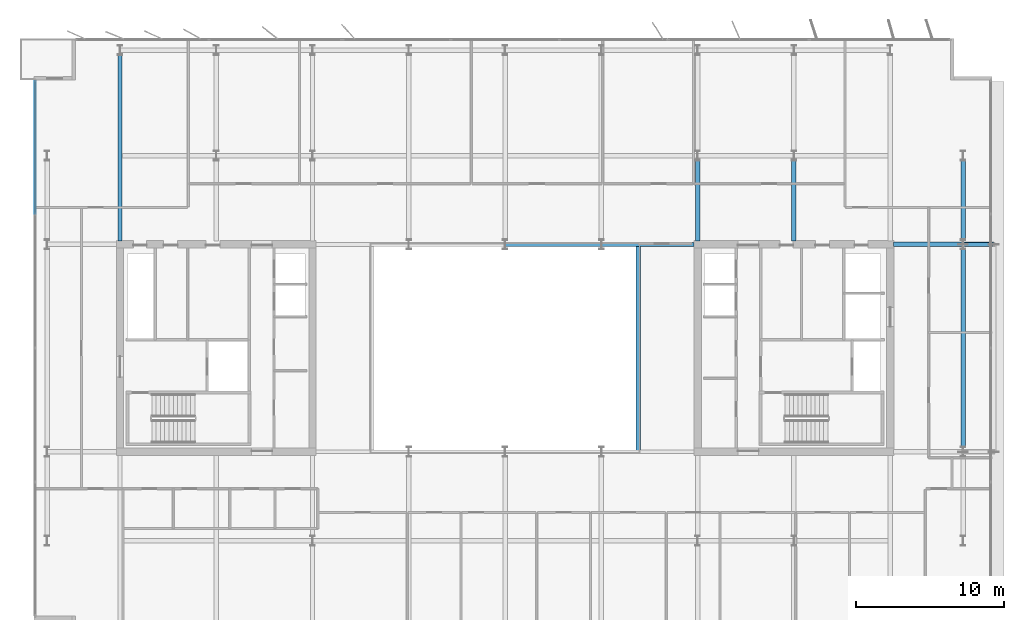
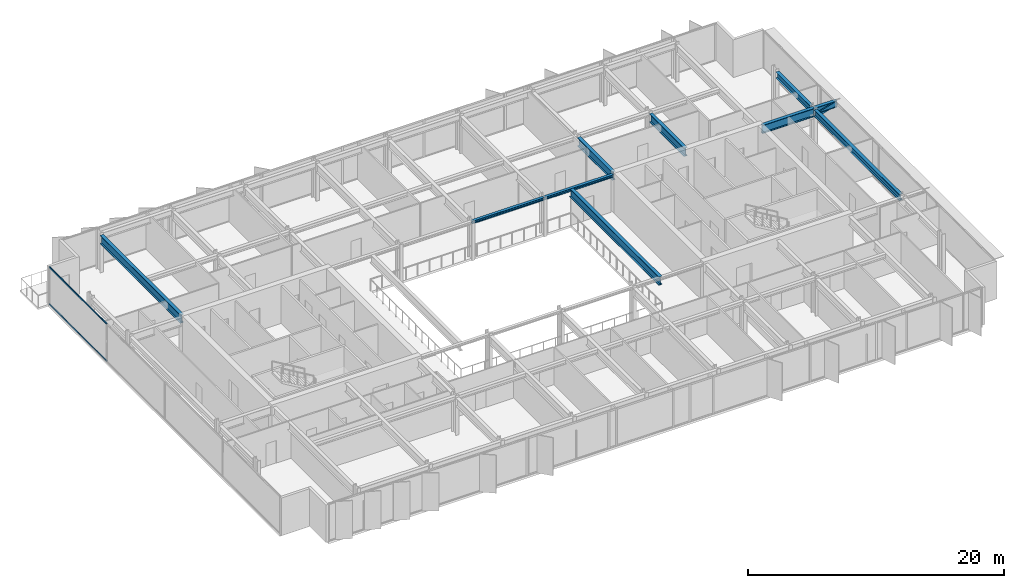
# One storey, part 7 of 20: 10 beams, 3 members, 1 element without a shape of its own.
"""IFC4 building model written with IfcOpenShell, lengths in metres."""

import ifcopenshell
import ifcopenshell.guid

model = None  # the IFC model being written
_history = None  # IfcOwnerHistory: only IFC2X3 demands one
_inside = {}  # id of a spatial element -> (the spatial element, [elements in it])
_under = {}  # id of a project, library or spatial element -> (it, [spatial elements below it])
_declared = {}  # id of a project -> (the project, [libraries it declares])
_typed = {}  # id of a type object -> (the type object, [elements of that type])
_made_of = {}  # id of a material, layer set ... -> (it, [elements and type objects made of it])


def new_model(schema):
    """Start an empty IFC model of exactly this schema.

    Asked for "IFC4X3", IfcOpenShell would pick the latest addendum, in which some entities
    have other attributes; the version numbers below select the first issue.
    IFC2X3 requires an IfcOwnerHistory on every rooted entity: one is made here for all.
    """
    global model, _history
    if schema == "IFC4X3":
        model = ifcopenshell.file(schema_version=(4, 3, 0, 0))
    else:
        model = ifcopenshell.file(schema=schema)
    _inside.clear()
    _under.clear()
    _declared.clear()
    _typed.clear()
    _made_of.clear()
    _history = None
    if model.schema == "IFC2X3":
        org = make("IfcOrganization", Name="unknown")
        user = make(
            "IfcPersonAndOrganization",
            ThePerson=make("IfcPerson", FamilyName="unknown"),
            TheOrganization=org,
        )
        app = make(
            "IfcApplication",
            ApplicationDeveloper=org,
            Version="unknown",
            ApplicationFullName="unknown",
            ApplicationIdentifier="unknown",
        )
        _history = make(
            "IfcOwnerHistory",
            OwningUser=user,
            OwningApplication=app,
            ChangeAction="ADDED",
            CreationDate=0,
        )
    return model


def make(cls, **values):
    """One entity of the class cls with the attributes given. An attribute that is None is left unset."""
    return model.create_entity(
        cls, **{name: value for name, value in values.items() if value is not None}
    )


def rooted(cls, **values):
    """An entity with a GlobalId (a new one), such as an element, a storey or a relation."""
    return make(cls, GlobalId=ifcopenshell.guid.new(), OwnerHistory=_history, **values)


def si_unit(unit_type, name, prefix=None):
    """IfcSIUnit, for example si_unit("LENGTHUNIT", "METRE", prefix="MILLI")."""
    return make("IfcSIUnit", UnitType=unit_type, Prefix=prefix, Name=name)


def assignment(units):
    """IfcUnitAssignment: the units of a project."""
    return None if units is None else make("IfcUnitAssignment", Units=units)


def point(xyz):
    """IfcCartesianPoint."""
    return None if xyz is None else make("IfcCartesianPoint", Coordinates=xyz)


def direction(xyz):
    """IfcDirection."""
    return None if xyz is None else make("IfcDirection", DirectionRatios=xyz)


def frame(location, z_axis=None, x_axis=None):
    """IfcAxis2Placement3D, a coordinate frame: its origin and axes. An axis left out is left unset."""
    return make(
        "IfcAxis2Placement3D",
        Location=point(location),
        Axis=direction(z_axis),
        RefDirection=direction(x_axis),
    )


def frame_2d(location, x_axis=None):
    """IfcAxis2Placement2D, a coordinate frame in the plane: its origin and x axis."""
    return make(
        "IfcAxis2Placement2D", Location=point(location), RefDirection=direction(x_axis)
    )


def origin():
    """The frame at (0, 0, 0) with its axes left unset."""
    return frame((0.0, 0.0, 0.0))


def origin_2d():
    """The frame at (0, 0) in the plane with its x axis left unset."""
    return frame_2d((0.0, 0.0))


def place(relative_to, where):
    """IfcLocalPlacement: puts the frame where relative to a parent placement (None: the world)."""
    return make(
        "IfcLocalPlacement", PlacementRelTo=relative_to, RelativePlacement=where
    )


def context(
    kind, dimensions, precision=None, world=None, true_north=None, identifier=None
):
    """IfcGeometricRepresentationContext, for example the 3D "Model" context."""
    return make(
        "IfcGeometricRepresentationContext",
        ContextIdentifier=identifier,
        ContextType=kind,
        CoordinateSpaceDimension=dimensions,
        Precision=precision,
        WorldCoordinateSystem=world,
        TrueNorth=true_north,
    )


def subcontext(parent, identifier, kind, view, scale=None):
    """IfcGeometricRepresentationSubContext, for example "Body" below "Model"."""
    return make(
        "IfcGeometricRepresentationSubContext",
        ContextIdentifier=identifier,
        ContextType=kind,
        ParentContext=parent,
        TargetScale=scale,
        TargetView=view,
    )


def project(units=None, contexts=None):
    """IfcProject with its units and contexts."""
    return rooted(
        "IfcProject",
        Name="project",
        RepresentationContexts=contexts,
        UnitsInContext=assignment(units),
    )


def spatial(cls, under=None, at=None, **own):
    """A site, building, storey or space (cls), placed at a placement, below another one or the project."""
    s = rooted(cls, ObjectPlacement=at, **own)
    if under is not None:
        _under.setdefault(under.id(), (under, []))[1].append(s)
    return s


def profile(cls, at=None, kind="AREA", **sizes):
    """A parametric profile (cls). Its sizes go by their IFC names, for example OverallWidth=200.0."""
    return make(cls, ProfileType=kind, Position=at, **sizes)


def rectangle(**sizes):
    """IfcRectangleProfileDef."""
    return profile("IfcRectangleProfileDef", **sizes)


def hollow_rectangle(**sizes):
    """IfcRectangleHollowProfileDef."""
    return profile("IfcRectangleHollowProfileDef", **sizes)


def i_section(**sizes):
    """IfcIShapeProfileDef."""
    return profile("IfcIShapeProfileDef", **sizes)


def extrude(swept, where, along, depth):
    """IfcExtrudedAreaSolid: the profile swept, set in the frame where, extruded along a direction by depth."""
    return make(
        "IfcExtrudedAreaSolid",
        SweptArea=swept,
        Position=where,
        ExtrudedDirection=direction(along),
        Depth=depth,
    )


def shape(context_of_items, identifier, shape_type, items):
    """IfcShapeRepresentation: the items that make up one representation, for example the "Body"."""
    return make(
        "IfcShapeRepresentation",
        ContextOfItems=context_of_items,
        RepresentationIdentifier=identifier,
        RepresentationType=shape_type,
        Items=items,
    )


def material(Name=None, Category=None):
    """IfcMaterial."""
    return make("IfcMaterial", Name=Name, Category=Category)


def layer(
    of_material, thickness, ventilated=None, Name=None, Category=None, Priority=None
):
    """IfcMaterialLayer: one layer of a wall or slab, of a material (None: an air gap)."""
    return make(
        "IfcMaterialLayer",
        Material=of_material,
        LayerThickness=thickness,
        IsVentilated=ventilated,
        Name=Name,
        Category=Category,
        Priority=Priority,
    )


def layer_set(layers, Name=None):
    """IfcMaterialLayerSet."""
    return make("IfcMaterialLayerSet", MaterialLayers=layers, LayerSetName=Name)


def material_profile(
    of_material, cross_section, Name=None, Category=None, Priority=None
):
    """IfcMaterialProfile: a cross section and its material."""
    return make(
        "IfcMaterialProfile",
        Name=Name,
        Material=of_material,
        Profile=cross_section,
        Priority=Priority,
        Category=Category,
    )


def profile_set(profiles, Name=None, composite=None):
    """IfcMaterialProfileSet."""
    return make(
        "IfcMaterialProfileSet",
        Name=Name,
        MaterialProfiles=profiles,
        CompositeProfile=composite,
    )


def made_of(thing, what):
    """Note that an element or type object is made of a material, layer set ...; save() writes the relation."""
    if what is not None:
        _made_of.setdefault(what.id(), (what, []))[1].append(thing)
    return thing


def type_object(cls, material=None, **own):
    """A type object (cls), such as IfcWallType, which elements share."""
    return made_of(rooted(cls, **own), material)


def element(
    cls,
    number,
    at=None,
    inside=None,
    cuts=None,
    type_object=None,
    material=None,
    context=None,
    identifier="Body",
    shape_type=None,
    held_by="IfcProductDefinitionShape",
    body=None,
    shapes=None,
    **own,
):
    """One element of the class cls, such as IfcWall. Its Tag is "e" and its number.

    at: its placement. inside: the storey or other place that contains it. cuts: it is an
    opening in that element (IfcRelVoidsElement). A single representation is given by context,
    identifier, shape_type and body (its items); several are given by shapes. held_by: the class
    of the entity that holds the representations. save() writes the other relations.
    """
    e = rooted(cls, Tag="e%d" % number, ObjectPlacement=at, **own)
    if body is not None:
        shapes = [shape(context, identifier, shape_type, body)]
    if shapes is not None:
        e.Representation = make(held_by, Representations=shapes)
    if inside is not None:
        _inside.setdefault(inside.id(), (inside, []))[1].append(e)
    if cuts is not None:
        rooted(
            "IfcRelVoidsElement", RelatingBuildingElement=cuts, RelatedOpeningElement=e
        )
    if type_object is not None:
        _typed.setdefault(type_object.id(), (type_object, []))[1].append(e)
    return made_of(e, material)


def aggregate(whole, parts):
    """IfcRelAggregates: a whole, such as a stair, and the parts it consists of."""
    return rooted("IfcRelAggregates", RelatingObject=whole, RelatedObjects=parts)


def save(model, path):
    """Write the relations noted so far, then the file.

    IfcRelAggregates (storeys below a building ...), IfcRelContainedInSpatialStructure (elements
    in a storey), IfcRelDefinesByType, IfcRelAssociatesMaterial and IfcRelDeclares: one each for
    every whole, place, type object, material and project.
    """
    for whole, parts in _under.values():
        aggregate(whole, parts)
    for where, things in _inside.values():
        rooted(
            "IfcRelContainedInSpatialStructure",
            RelatedElements=things,
            RelatingStructure=where,
        )
    for kind, things in _typed.values():
        rooted("IfcRelDefinesByType", RelatedObjects=things, RelatingType=kind)
    for what, things in _made_of.values():
        rooted("IfcRelAssociatesMaterial", RelatedObjects=things, RelatingMaterial=what)
    for by, libraries in _declared.values():
        rooted("IfcRelDeclares", RelatingContext=by, RelatedDefinitions=libraries)
    model.write(path)


model = new_model("IFC4")

# Units and contexts
model_context = context("Model", 3, precision=1e-05, world=origin(), true_north=direction((0.0, 1.0)))
body_context = subcontext(model_context, "Body", "Model", "MODEL_VIEW")
ifc_project = project(units=[si_unit("LENGTHUNIT", "METRE"), si_unit("AREAUNIT", "SQUARE_METRE"), si_unit("VOLUMEUNIT", "CUBIC_METRE"), si_unit("PLANEANGLEUNIT", "RADIAN"), si_unit("MASSUNIT", "GRAM", prefix="KILO")], contexts=[model_context])

# Site, building, storey
site_placement = place(None, origin())
site = spatial("IfcSite", under=ifc_project, at=site_placement, CompositionType="ELEMENT")
building_placement = place(site_placement, origin())
building = spatial("IfcBuilding", under=site, at=building_placement, Name="Putna Gate Headquarters", CompositionType="ELEMENT")
storey_placement = place(building_placement, frame((0.0, 0.0, 274.60009765625)))
storey = spatial("IfcBuildingStorey", under=building, at=storey_placement, Name="L69", CompositionType="ELEMENT", Elevation=274.60009765625)

# Beams
ifc_material_1 = material(Name="Steel S355J2", Category="steel")
ifc_material_profile_1 = material_profile(ifc_material_1, i_section(OverallWidth=0.260009765625, OverallDepth=0.260009765625, WebThickness=0.010009765625, FlangeThickness=0.017578125, at=origin_2d()), Name="Steel S355J2")
ifc_profile_set_1 = profile_set([ifc_material_profile_1], Name="Steel S355J2")
beam_type_1 = type_object("IfcBeamType", Name="BM-ATRIUM-HEB260", PredefinedType="BEAM", material=ifc_profile_set_1)
beam_1_placement = place(storey_placement, frame((39.006103515625, 33.0, 3.4580078125), z_axis=(1.0, 0.0, 0.0), x_axis=(0.0, 1.0, 0.0)))
element("IfcBeam", 1, at=beam_1_placement, inside=storey, type_object=beam_type_1, Name="L69 Atrium Edge Beam AN3", PredefinedType="BEAM", context=body_context, shape_type="SweptSolid", body=[
    extrude(i_section(OverallWidth=0.260009765625, OverallDepth=0.260009765625, WebThickness=0.010009765625, FlangeThickness=0.017578125, at=origin_2d()), origin(), (0.0, 0.0, 1.0), 6.48779296875),
])
beam_2_placement = place(storey_placement, frame((45.506103515625, 33.0, 3.4580078125), z_axis=(1.0, 0.0, 0.0), x_axis=(0.0, 1.0, 0.0)))
element("IfcBeam", 2, at=beam_2_placement, inside=storey, type_object=beam_type_1, Name="L69 Atrium Edge Beam AN4", PredefinedType="BEAM", context=body_context, shape_type="SweptSolid", body=[
    extrude(i_section(OverallWidth=0.260009765625, OverallDepth=0.260009765625, WebThickness=0.010009765625, FlangeThickness=0.017578125, at=origin_2d()), origin(), (0.0, 0.0, 1.0), 6.2587890625),
])
ifc_material_profile_2 = material_profile(ifc_material_1, i_section(OverallWidth=0.300048828125, OverallDepth=0.800048828125, WebThickness=0.017578125, FlangeThickness=0.032958984375, at=origin_2d()), Name="Steel S355J2")
ifc_profile_set_2 = profile_set([ifc_material_profile_2], Name="Steel S355J2")
beam_type_2 = type_object("IfcBeamType", Name="BM-GIRD-P-HEB800", PredefinedType="USERDEFINED", material=ifc_profile_set_2)
beam_3_placement = place(storey_placement, frame((65.235107421875, 33.0, 3.18798828125), z_axis=(1.0, 0.0, 0.0), x_axis=(0.0, 1.0, 0.0)))
element("IfcBeam", 3, at=beam_3_placement, inside=storey, type_object=beam_type_2, Name="L69 East Wing Girder Y33", ObjectType="GIRDER", PredefinedType="USERDEFINED", context=body_context, shape_type="SweptSolid", body=[
    extrude(i_section(OverallWidth=0.300048828125, OverallDepth=0.800048828125, WebThickness=0.017578125, FlangeThickness=0.032958984375, at=origin_2d()), origin(), (0.0, 0.0, 1.0), 4.678955078125),
])
beam_4_placement = place(storey_placement, frame((13.0, 33.235107421875, 3.18798828125), z_axis=(0.0, 1.0, 0.0), x_axis=(-1.0, 0.0, 0.0)))
element("IfcBeam", 4, at=beam_4_placement, inside=storey, type_object=beam_type_2, Name="L69 North Primary Girder X13", ObjectType="GIRDER", PredefinedType="USERDEFINED", context=body_context, shape_type="SweptSolid", body=[
    extrude(i_section(OverallWidth=0.300048828125, OverallDepth=0.800048828125, WebThickness=0.017578125, FlangeThickness=0.032958984375, at=origin_2d()), origin(), (0.0, 0.0, 1.0), 12.56298828125),
])
for number, where, z_axis, x_axis, name in (
    (5, (52.0, 33.235107421875, 3.18798828125), (0.0, 1.0, 0.0), (-1.0, 0.0, 0.0), "L69 North Primary Girder X52-1"),
    (6, (58.5, 33.235107421875, 3.18798828125), (0.0, 1.0, 0.0), (-1.0, 0.0, 0.0), "L69 North Primary Girder X58-1"),
):
    element("IfcBeam", number, at=place(storey_placement, frame(where, z_axis=z_axis, x_axis=x_axis)), inside=storey, type_object=beam_type_2, Name=name, ObjectType="GIRDER", PredefinedType="USERDEFINED", context=body_context, shape_type="SweptSolid", body=[
        extrude(i_section(OverallWidth=0.300048828125, OverallDepth=0.800048828125, WebThickness=0.017578125, FlangeThickness=0.032958984375, at=origin_2d()), origin(), (0.0, 0.0, 1.0), 5.44287109375),
    ])
beam_5_placement = place(storey_placement, frame((48.0, 19.010009765625, 3.18798828125), z_axis=(0.0, 1.0, 0.0), x_axis=(-1.0, 0.0, 0.0)))
element("IfcBeam", 7, at=beam_5_placement, inside=storey, type_object=beam_type_2, Name="L69 Atrium Trim Girder AE", ObjectType="GIRDER", PredefinedType="USERDEFINED", context=body_context, shape_type="SweptSolid", body=[
    extrude(i_section(OverallWidth=0.300048828125, OverallDepth=0.800048828125, WebThickness=0.017578125, FlangeThickness=0.032958984375, at=origin_2d()), origin(), (0.0, 0.0, 1.0), 13.97998046875),
])
ifc_material_profile_3 = material_profile(ifc_material_1, i_section(OverallWidth=0.300048828125, OverallDepth=0.60009765625, WebThickness=0.015380859375, FlangeThickness=0.030029296875, at=origin_2d()), Name="Steel S355J2")
ifc_profile_set_3 = profile_set([ifc_material_profile_3], Name="Steel S355J2")
beam_type_3 = type_object("IfcBeamType", Name="BM-GIRD-SAIL-HEB600", PredefinedType="USERDEFINED", material=ifc_profile_set_3)
beam_6_placement = place(storey_placement, frame((69.926025390625, 33.0, 3.287841796875), z_axis=(1.0, 0.0, 0.0), x_axis=(0.0, 1.0, 0.0)))
element("IfcBeam", 8, at=beam_6_placement, inside=storey, type_object=beam_type_3, Name="L69 East Sail Outrigger Bracket Y33", ObjectType="GIRDER", PredefinedType="USERDEFINED", context=body_context, shape_type="SweptSolid", body=[
    extrude(i_section(OverallWidth=0.300048828125, OverallDepth=0.60009765625, WebThickness=0.015380859375, FlangeThickness=0.030029296875, at=origin_2d()), origin(), (0.0, 0.0, 1.0), 2.0751953125),
])
ifc_material_profile_4 = material_profile(ifc_material_1, i_section(OverallWidth=0.300048828125, OverallDepth=0.590087890625, WebThickness=0.012939453125, FlangeThickness=0.02490234375, at=origin_2d()), Name="Steel S355J2")
ifc_profile_set_4 = profile_set([ifc_material_profile_4], Name="Steel S355J2")
beam_type_4 = type_object("IfcBeamType", Name="BM-SPAN-Z4-HEA600", PredefinedType="SPANDREL", material=ifc_profile_set_4)
beam_7_placement = place(storey_placement, frame((69.919921875, 19.322021484375, 3.29296875), z_axis=(0.0, 1.0, 0.0), x_axis=(-1.0, 0.0, 0.0)))
element("IfcBeam", 9, at=beam_7_placement, inside=storey, type_object=beam_type_4, Name="L69 E End Spandrel 2", PredefinedType="SPANDREL", context=body_context, shape_type="SweptSolid", body=[
    extrude(i_section(OverallWidth=0.300048828125, OverallDepth=0.590087890625, WebThickness=0.012939453125, FlangeThickness=0.02490234375, at=origin_2d()), origin(), (0.0, 0.0, 1.0), 13.35595703125),
])
beam_8_placement = place(storey_placement, frame((69.919921875, 33.322021484375, 3.29296875), z_axis=(0.0, 1.0, 0.0), x_axis=(-1.0, 0.0, 0.0)))
element("IfcBeam", 10, at=beam_8_placement, inside=storey, type_object=beam_type_4, Name="L69 E End Spandrel 3", PredefinedType="SPANDREL", context=body_context, shape_type="SweptSolid", body=[
    extrude(i_section(OverallWidth=0.300048828125, OverallDepth=0.590087890625, WebThickness=0.012939453125, FlangeThickness=0.02490234375, at=origin_2d()), origin(), (0.0, 0.0, 1.0), 5.35595703125),
])

# Member
ifc_material_2 = material(Name="Steel S460M", Category="steel")
ifc_material_profile_5 = material_profile(ifc_material_2, hollow_rectangle(XDim=0.25, YDim=0.39990234375, WallThickness=0.01611328125, at=origin_2d()), Name="Steel S460M")
ifc_profile_set_5 = profile_set([ifc_material_profile_5], Name="Steel S460M")
member_type_1 = type_object("IfcMemberType", Name="MEM-SAIL-BRACE-RHS400", PredefinedType="BRACE", material=ifc_profile_set_5)
member_1_placement = place(storey_placement, frame((69.93408203125, 33.0, 2.755615234375), z_axis=(0.958427782893, 0.0, 0.285335215106), x_axis=(0.0, 1.0, 0.0)))
element("IfcMember", 11, at=member_1_placement, inside=storey, type_object=member_type_1, Name="L69 East Sail Cantilever Raker Y33", PredefinedType="BRACE", context=body_context, shape_type="SweptSolid", body=[
    extrude(hollow_rectangle(XDim=0.25, YDim=0.39990234375, WallThickness=0.01611328125, at=origin_2d()), origin(), (0.0, 0.0, 1.0), 2.126220703125),
])

# Curtain wall, members
ifc_material_3 = material(Name="Anodised bronze aluminium curtain wall", Category="aluminium")
ifc_layer = layer(ifc_material_3, 0.179931640625)
ifc_layer_set = layer_set([ifc_layer], Name="Anodised bronze aluminium curtain wall")
curtain_wall_type = type_object("IfcCurtainWallType", Name="CW-SYS-Z5", PredefinedType="USERDEFINED", material=ifc_layer_set)
curtain_wall_placement = place(storey_placement, origin())
curtain_wall = element("IfcCurtainWall", 12, at=curtain_wall_placement, inside=storey, type_object=curtain_wall_type, Name="L69 West Curtain Wall", ObjectType="STICK CURTAIN WALL", PredefinedType="USERDEFINED")
ifc_material_4 = material(Name="Anodised bronze aluminium EN AW-6060", Category="aluminium")
ifc_material_profile_6 = material_profile(ifc_material_4, rectangle(XDim=0.06005859375, YDim=0.10009765625, at=origin_2d()), Name="Anodised bronze aluminium EN AW-6060")
ifc_profile_set_6 = profile_set([ifc_material_profile_6], Name="Anodised bronze aluminium EN AW-6060")
member_type_2 = type_object("IfcMemberType", Name="TRAN-CWT-5", PredefinedType="USERDEFINED", material=ifc_profile_set_6)
member_2_placement = place(storey_placement, frame((7.280029296875, 35.0849609375, 0.02978515625), z_axis=(0.0, 1.0, 0.0), x_axis=(-1.0, 0.0, 0.0)))
member_2 = element("IfcMember", 13, at=member_2_placement, type_object=member_type_2, Name="CWS-5 transom 4.1", ObjectType="TRANSOM", PredefinedType="USERDEFINED", context=body_context, shape_type="SweptSolid", body=[
    extrude(rectangle(XDim=0.06005859375, YDim=0.10009765625, at=origin_2d()), origin(), (0.0, 0.0, 1.0), 8.945068359375),
])
member_3_placement = place(storey_placement, frame((7.280029296875, 35.0849609375, 3.557861328125), z_axis=(0.0, 1.0, 0.0), x_axis=(-1.0, 0.0, 0.0)))
member_3 = element("IfcMember", 14, at=member_3_placement, type_object=member_type_2, Name="CWS-5 transom 4.2", ObjectType="TRANSOM", PredefinedType="USERDEFINED", context=body_context, shape_type="SweptSolid", body=[
    extrude(rectangle(XDim=0.06005859375, YDim=0.10009765625, at=origin_2d()), origin(), (0.0, 0.0, 1.0), 8.945068359375),
])
aggregate(curtain_wall, [member_2, member_3])

save(model, "model.ifc")
